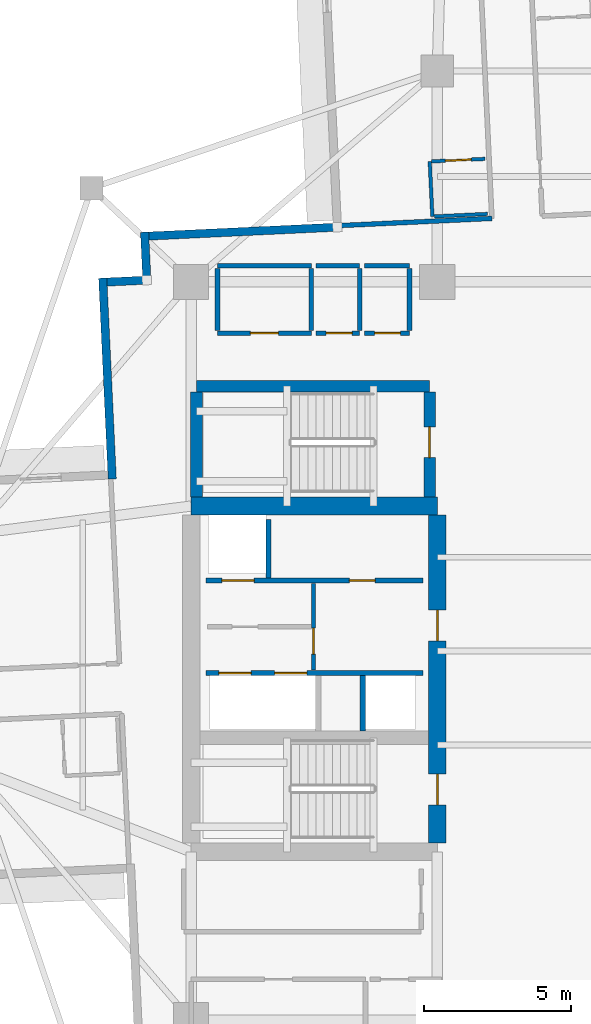
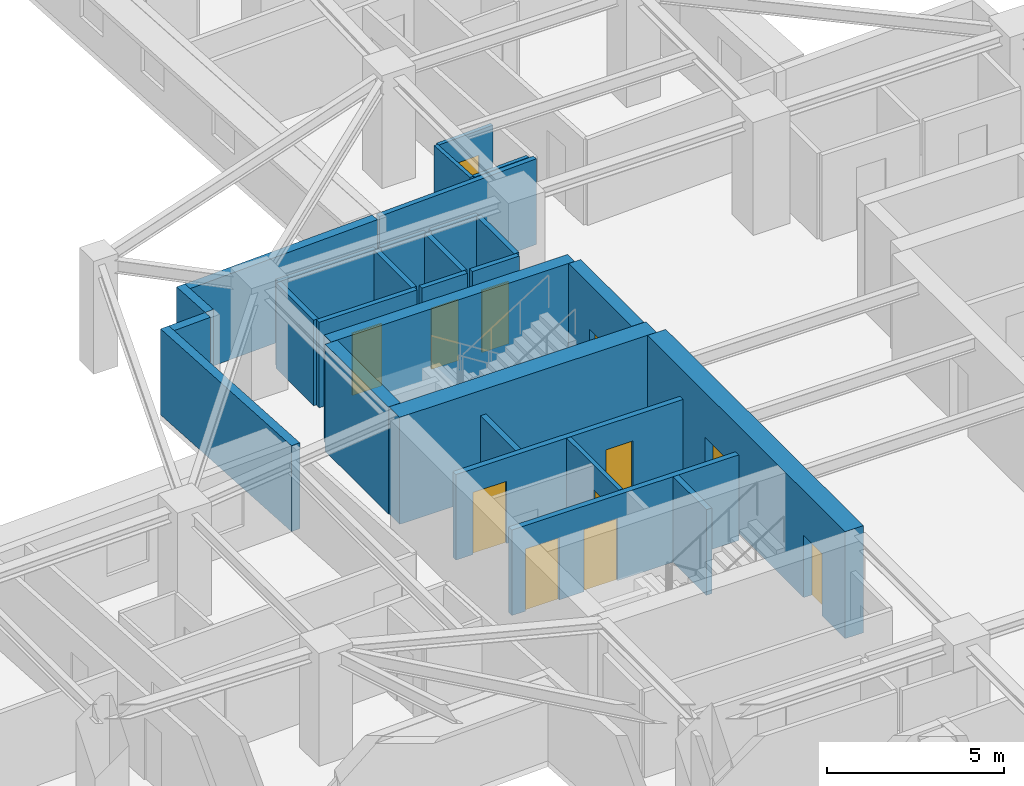
# One storey, part 6 of 14: 28 walls, 12 doors, 12 openings.
"""IFC4 building model written with IfcOpenShell, lengths in metres."""

from ifc_helpers import new_model, si_unit, direction, frame, frame_2d, origin, place, context, subcontext, project, spatial, rectangle, extrude, material, layer, layer_set, type_object, element, fill, save


model = new_model("IFC4")

# Units and contexts
model_context = context("Model", 3, precision=1e-05, world=origin(), true_north=direction((0.0, 1.0)))
body_context = subcontext(model_context, "Body", "Model", "MODEL_VIEW")
ifc_project = project(units=[si_unit("LENGTHUNIT", "METRE"), si_unit("AREAUNIT", "SQUARE_METRE"), si_unit("VOLUMEUNIT", "CUBIC_METRE"), si_unit("PLANEANGLEUNIT", "RADIAN"), si_unit("MASSUNIT", "GRAM", prefix="KILO")], contexts=[model_context])

# Site, building, storey
site_placement = place(None, origin())
site = spatial("IfcSite", under=ifc_project, at=site_placement, CompositionType="ELEMENT")
building_placement = place(site_placement, origin())
building = spatial("IfcBuilding", under=site, at=building_placement, Name="Qingluan Cross Belvedere", CompositionType="ELEMENT")
storey_placement = place(building_placement, frame((0.0, 0.0, 116.39990234375)))
storey = spatial("IfcBuildingStorey", under=building, at=storey_placement, Name="L29", CompositionType="ELEMENT", Elevation=116.39990234375)

# Walls
ifc_material_1 = material(Name="Concrete C50", Category="concrete")
ifc_layer_1 = layer(ifc_material_1, 0.449951171875, Name="CoreShearWall_450")
ifc_layer_set_1 = layer_set([ifc_layer_1], Name="Concrete C50")
wall_type_1 = type_object("IfcWallType", Name="CoreShearWall_450", PredefinedType="SHEAR", material=ifc_layer_set_1)
wall_1_placement = place(storey_placement, frame((-12.219970703125, 9.0400390625, 0.0), z_axis=(0.0, 0.0, 1.0), x_axis=(1.0, 0.0, 0.0)))
element("IfcWall", 1, at=wall_1_placement, inside=storey, type_object=wall_type_1, Name="Stair ST3 structural wall N L29", PredefinedType="SHEAR", context=body_context, shape_type="SweptSolid", body=[
    extrude(rectangle(XDim=7.9599609375, YDim=0.39990234375, at=frame_2d((3.97998046875, 0.0))), origin(), (0.0, 0.0, 1.0), 3.7001953125),
])
wall_2_placement = place(storey_placement, frame((-12.219970703125, 5.2548828125, 0.0), z_axis=(0.0, 0.0, 1.0), x_axis=(0.0, 1.0, 0.0)))
element("IfcWall", 2, at=wall_2_placement, inside=storey, type_object=wall_type_1, Name="Stair ST3 structural wall W L29", PredefinedType="SHEAR", context=body_context, shape_type="SweptSolid", body=[
    extrude(rectangle(XDim=3.580078125, YDim=0.39990234375, at=frame_2d((1.7900390625, 0.0))), origin(), (0.0, 0.0, 1.0), 3.7001953125),
])

# Wall, opening, door
wall_3_placement = place(storey_placement, frame((-4.260009765625, 5.2548828125, 0.0), z_axis=(0.0, 0.0, 1.0), x_axis=(0.0, 1.0, 0.0)))
wall_3 = element("IfcWall", 3, at=wall_3_placement, inside=storey, type_object=wall_type_1, Name="Stair ST3 structural wall E L29", PredefinedType="SHEAR", context=body_context, shape_type="SweptSolid", body=[
    extrude(rectangle(XDim=3.580078125, YDim=0.39990234375, at=frame_2d((1.7900390625, 0.0))), origin(), (0.0, 0.0, 1.0), 3.7001953125),
])
opening_1_placement = place(wall_3_placement, frame((1.344970703125, 0.0, 0.0)))
opening_1 = element("IfcOpeningElement", 4, at=opening_1_placement, cuts=wall_3, Name="Opening FD-B11", PredefinedType="OPENING", context=body_context, shape_type="SweptSolid", body=[
    extrude(rectangle(XDim=1.050048828125, YDim=2.14990234375, at=frame_2d((0.52490234375, 1.074951171875))), frame((0.0, 0.2099609375, 0.0), z_axis=(0.0, -1.0, 0.0), x_axis=(1.0, 0.0, 0.0)), (0.0, 0.0, 1.0), 0.419921875),
])
ifc_material_2 = material(Name="Steel Class B smoke-seal fire door", Category="steel")
door_type_1 = type_object("IfcDoorType", Name="StairLobbyFireDoor_FDB", OperationType="NOTDEFINED", PredefinedType="DOOR", material=ifc_material_2)
door_1_placement = place(opening_1_placement, origin())
door_1 = element("IfcDoor", 5, at=door_1_placement, inside=storey, type_object=door_type_1, Name="Smoke-proof stair ST3 fire door L29", OperationType="SINGLE_SWING_LEFT", OverallHeight=2.14990234375, OverallWidth=1.050048828125, PredefinedType="DOOR", context=body_context, shape_type="SweptSolid", body=[
    extrude(rectangle(XDim=1.050048828125, YDim=2.14990234375, at=frame_2d((0.52490234375, 1.074951171875))), frame((0.0, 0.02490234375, 0.0), z_axis=(0.0, -1.0, 0.0), x_axis=(1.0, 0.0, 0.0)), (0.0, 0.0, 1.0), 0.050048828125),
])
fill(opening_1, door_1)

# Wall
ifc_material_3 = material(Name="Concrete C60", Category="concrete")
ifc_layer_2 = layer(ifc_material_3, 0.60009765625, Name="CoreShearWall_600")
ifc_layer_set_2 = layer_set([ifc_layer_2], Name="Concrete C60")
wall_type_2 = type_object("IfcWallType", Name="CoreShearWall_600", PredefinedType="SHEAR", material=ifc_layer_set_2)
wall_4_placement = place(storey_placement, frame((-12.39990234375, 4.949951171875, 0.0), z_axis=(0.0, 0.0, 1.0), x_axis=(1.0, 0.0, 0.0)))
element("IfcWall", 6, at=wall_4_placement, inside=storey, type_object=wall_type_2, Name="Split core W shear wall L29-N", PredefinedType="SHEAR", context=body_context, shape_type="SweptSolid", body=[
    extrude(rectangle(XDim=8.39990234375, YDim=0.60009765625, at=frame_2d((4.199951171875, 0.0))), origin(), (0.0, 0.0, 1.0), 3.7001953125),
])

# Wall, openings, doors
wall_5_placement = place(storey_placement, frame((-4.0, -6.544921875, 0.0), z_axis=(0.0, 0.0, 1.0), x_axis=(0.0, 1.0, 0.0)))
wall_5 = element("IfcWall", 7, at=wall_5_placement, inside=storey, type_object=wall_type_2, Name="Split core W shear wall L29-E", PredefinedType="SHEAR", context=body_context, shape_type="SweptSolid", body=[
    extrude(rectangle(XDim=11.18994140625, YDim=0.60009765625, at=frame_2d((5.594970703125, 0.0))), origin(), (0.0, 0.0, 1.0), 3.7001953125),
])
opening_2_placement = place(wall_5_placement, frame((1.294921875, 0.0, 0.0)))
opening_2 = element("IfcOpeningElement", 8, at=opening_2_placement, cuts=wall_5, Name="Opening FD-B11", PredefinedType="OPENING", context=body_context, shape_type="SweptSolid", body=[
    extrude(rectangle(XDim=1.050048828125, YDim=2.14990234375, at=frame_2d((0.52490234375, 1.074951171875))), frame((0.0, 0.31005859375, 0.0), z_axis=(0.0, -1.0, 0.0), x_axis=(1.0, 0.0, 0.0)), (0.0, 0.0, 1.0), 0.6201171875),
])
opening_3_placement = place(wall_5_placement, frame((6.89501953125, 0.0, 0.0)))
opening_3 = element("IfcOpeningElement", 9, at=opening_3_placement, cuts=wall_5, Name="Opening FD-B11", PredefinedType="OPENING", context=body_context, shape_type="SweptSolid", body=[
    extrude(rectangle(XDim=1.050048828125, YDim=2.14990234375, at=frame_2d((0.52490234375, 1.074951171875))), frame((0.0, 0.31005859375, 0.0), z_axis=(0.0, -1.0, 0.0), x_axis=(1.0, 0.0, 0.0)), (0.0, 0.0, 1.0), 0.6201171875),
])
door_2_placement = place(opening_2_placement, origin())
door_2 = element("IfcDoor", 10, at=door_2_placement, inside=storey, type_object=door_type_1, Name="Smoke-proof stair ST1 fire door L29", OperationType="SINGLE_SWING_LEFT", OverallHeight=2.14990234375, OverallWidth=1.050048828125, PredefinedType="DOOR", context=body_context, shape_type="SweptSolid", body=[
    extrude(rectangle(XDim=1.050048828125, YDim=2.14990234375, at=frame_2d((0.52490234375, 1.074951171875))), frame((0.0, 0.02490234375, 0.0), z_axis=(0.0, -1.0, 0.0), x_axis=(1.0, 0.0, 0.0)), (0.0, 0.0, 1.0), 0.050048828125),
])
fill(opening_2, door_2)
door_3_placement = place(opening_3_placement, origin())
door_3 = element("IfcDoor", 11, at=door_3_placement, inside=storey, type_object=door_type_1, Name="Firefighting lobby West fire door L29", OperationType="SINGLE_SWING_LEFT", OverallHeight=2.14990234375, OverallWidth=1.050048828125, PredefinedType="DOOR", context=body_context, shape_type="SweptSolid", body=[
    extrude(rectangle(XDim=1.050048828125, YDim=2.14990234375, at=frame_2d((0.52490234375, 1.074951171875))), frame((0.0, 0.02490234375, 0.0), z_axis=(0.0, -1.0, 0.0), x_axis=(1.0, 0.0, 0.0)), (0.0, 0.0, 1.0), 0.050048828125),
])
fill(opening_3, door_3)

# Wall, opening, door
ifc_material_4 = material(Name="Gypsum plasterboard on steel stud acoustic partition", Category="steel")
ifc_layer_3 = layer(ifc_material_4, 0.159912109375, Name="CorridorPartition_160")
ifc_layer_set_3 = layer_set([ifc_layer_3], Name="Gypsum plasterboard on steel stud acoustic partition")
wall_type_3 = type_object("IfcWallType", Name="CorridorPartition_160", PredefinedType="PARTITIONING", material=ifc_layer_set_3)
wall_6_placement = place(storey_placement, frame((-11.5, 10.85009765625, 0.0), z_axis=(0.0, 0.0, 1.0), x_axis=(1.0, 0.0, 0.0)))
wall_6 = element("IfcWall", 12, at=wall_6_placement, inside=storey, type_object=wall_type_3, Name="Partition L29:q_nw_occ:S", PredefinedType="PARTITIONING", context=body_context, shape_type="SweptSolid", body=[
    extrude(rectangle(XDim=3.199951171875, YDim=0.159912109375, at=frame_2d((1.60009765625, 0.0))), origin(), (0.0, 0.0, 1.0), 2.960205078125),
])
opening_4_placement = place(wall_6_placement, frame((1.1201171875, 0.0, 0.0)))
opening_4 = element("IfcOpeningElement", 13, at=opening_4_placement, cuts=wall_6, Name="Opening GD-10", PredefinedType="OPENING", context=body_context, shape_type="SweptSolid", body=[
    extrude(rectangle(XDim=0.9599609375, YDim=2.14990234375, at=frame_2d((0.47998046875, 1.074951171875))), frame((0.0, 0.08984375, 0.0), z_axis=(0.0, -1.0, 0.0), x_axis=(1.0, 0.0, 0.0)), (0.0, 0.0, 1.0), 0.179931640625),
])
ifc_material_5 = material(Name="Timber oak fire-rated acoustic guestroom door", Category="wood")
door_type_2 = type_object("IfcDoorType", Name="GuestEntryDoor_FD60", OperationType="NOTDEFINED", PredefinedType="DOOR", material=ifc_material_5)
door_4_placement = place(opening_4_placement, origin())
door_4 = element("IfcDoor", 14, at=door_4_placement, inside=storey, type_object=door_type_2, Name="Northwest corner reading salon L29 door", OperationType="SINGLE_SWING_RIGHT", OverallHeight=2.14990234375, OverallWidth=0.9599609375, PredefinedType="DOOR", context=body_context, shape_type="SweptSolid", body=[
    extrude(rectangle(XDim=0.9599609375, YDim=2.14990234375, at=frame_2d((0.47998046875, 1.074951171875))), frame((0.0, 0.02490234375, 0.0), z_axis=(0.0, -1.0, 0.0), x_axis=(1.0, 0.0, 0.0)), (0.0, 0.0, 1.0), 0.050048828125),
])
fill(opening_4, door_4)

# Walls
wall_7_placement = place(storey_placement, frame((-11.5, 13.14990234375, 0.0), z_axis=(0.0, 0.0, 1.0), x_axis=(1.0, 0.0, 0.0)))
element("IfcWall", 15, at=wall_7_placement, inside=storey, type_object=wall_type_3, Name="Partition L29:q_nw_occ:N", PredefinedType="PARTITIONING", context=body_context, shape_type="SweptSolid", body=[
    extrude(rectangle(XDim=3.199951171875, YDim=0.159912109375, at=frame_2d((1.60009765625, 0.0))), origin(), (0.0, 0.0, 1.0), 2.960205078125),
])
for number, where, z_axis, x_axis, name in (
    (16, (-11.5, 10.93505859375, 0.0), (0.0, 0.0, 1.0), (0.0, 1.0, 0.0), "Partition L29:q_nw_occ:W"),
    (17, (-8.300048828125, 10.93505859375, 0.0), (0.0, 0.0, 1.0), (0.0, 1.0, 0.0), "Partition L29:q_nw_occ:E"),
):
    element("IfcWall", number, at=place(storey_placement, frame(where, z_axis=z_axis, x_axis=x_axis)), inside=storey, type_object=wall_type_3, Name=name, PredefinedType="PARTITIONING", context=body_context, shape_type="SweptSolid", body=[
        extrude(rectangle(XDim=2.1298828125, YDim=0.159912109375, at=frame_2d((1.06494140625, 0.0))), origin(), (0.0, 0.0, 1.0), 2.960205078125),
    ])

# Wall, opening, door
wall_8_placement = place(storey_placement, frame((-8.139892578125, 10.85009765625, 0.0), z_axis=(0.0, 0.0, 1.0), x_axis=(1.0, 0.0, 0.0)))
wall_8 = element("IfcWall", 18, at=wall_8_placement, inside=storey, type_object=wall_type_3, Name="Partition L29:hk_linen:S", PredefinedType="PARTITIONING", context=body_context, shape_type="SweptSolid", body=[
    extrude(rectangle(XDim=1.489990234375, YDim=0.159912109375, at=frame_2d((0.7451171875, 0.0))), origin(), (0.0, 0.0, 1.0), 2.960205078125),
])
opening_5_placement = place(wall_8_placement, frame((0.35009765625, 0.0, 0.0)))
opening_5 = element("IfcOpeningElement", 19, at=opening_5_placement, cuts=wall_8, Name="Opening FD-B10", PredefinedType="OPENING", context=body_context, shape_type="SweptSolid", body=[
    extrude(rectangle(XDim=0.8798828125, YDim=2.10009765625, at=frame_2d((0.43994140625, 1.050048828125))), frame((0.0, 0.08984375, 0.0), z_axis=(0.0, -1.0, 0.0), x_axis=(1.0, 0.0, 0.0)), (0.0, 0.0, 1.0), 0.179931640625),
])
ifc_material_6 = material(Name="Steel Class B service fire door", Category="steel")
door_type_3 = type_object("IfcDoorType", Name="RiserServiceFireDoor_FDB", OperationType="NOTDEFINED", PredefinedType="DOOR", material=ifc_material_6)
door_5_placement = place(opening_5_placement, origin())
door_5 = element("IfcDoor", 20, at=door_5_placement, inside=storey, type_object=door_type_3, Name="Housekeeping and linen store L29 door", OperationType="SINGLE_SWING_LEFT", OverallHeight=2.10009765625, OverallWidth=0.8798828125, PredefinedType="DOOR", context=body_context, shape_type="SweptSolid", body=[
    extrude(rectangle(XDim=0.8798828125, YDim=2.10009765625, at=frame_2d((0.43994140625, 1.050048828125))), frame((0.0, 0.02490234375, 0.0), z_axis=(0.0, -1.0, 0.0), x_axis=(1.0, 0.0, 0.0)), (0.0, 0.0, 1.0), 0.050048828125),
])
fill(opening_5, door_5)

# Walls
wall_9_placement = place(storey_placement, frame((-8.139892578125, 13.14990234375, 0.0), z_axis=(0.0, 0.0, 1.0), x_axis=(1.0, 0.0, 0.0)))
element("IfcWall", 21, at=wall_9_placement, inside=storey, type_object=wall_type_3, Name="Partition L29:hk_linen:N", PredefinedType="PARTITIONING", context=body_context, shape_type="SweptSolid", body=[
    extrude(rectangle(XDim=1.489990234375, YDim=0.159912109375, at=frame_2d((0.7451171875, 0.0))), origin(), (0.0, 0.0, 1.0), 2.960205078125),
])
wall_10_placement = place(storey_placement, frame((-6.64990234375, 10.93505859375, 0.0), z_axis=(0.0, 0.0, 1.0), x_axis=(0.0, 1.0, 0.0)))
element("IfcWall", 22, at=wall_10_placement, inside=storey, type_object=wall_type_3, Name="Partition L29:hk_linen:E", PredefinedType="PARTITIONING", context=body_context, shape_type="SweptSolid", body=[
    extrude(rectangle(XDim=2.1298828125, YDim=0.159912109375, at=frame_2d((1.06494140625, 0.0))), origin(), (0.0, 0.0, 1.0), 2.960205078125),
])

# Wall, opening, door
wall_11_placement = place(storey_placement, frame((-6.489990234375, 10.85009765625, 0.0), z_axis=(0.0, 0.0, 1.0), x_axis=(1.0, 0.0, 0.0)))
wall_11 = element("IfcWall", 23, at=wall_11_placement, inside=storey, type_object=wall_type_3, Name="Partition L29:floor_acc_wc:S", PredefinedType="PARTITIONING", context=body_context, shape_type="SweptSolid", body=[
    extrude(rectangle(XDim=1.5400390625, YDim=0.159912109375, at=frame_2d((0.77001953125, 0.0))), origin(), (0.0, 0.0, 1.0), 2.960205078125),
])
opening_6_placement = place(wall_11_placement, frame((0.35009765625, 0.0, 0.0)))
opening_6 = element("IfcOpeningElement", 24, at=opening_6_placement, cuts=wall_11, Name="Opening BD-08", PredefinedType="OPENING", context=body_context, shape_type="SweptSolid", body=[
    extrude(rectangle(XDim=0.8798828125, YDim=2.14990234375, at=frame_2d((0.43994140625, 1.074951171875))), frame((0.0, 0.08984375, 0.0), z_axis=(0.0, -1.0, 0.0), x_axis=(1.0, 0.0, 0.0)), (0.0, 0.0, 1.0), 0.179931640625),
])
ifc_material_7 = material(Name="Moisture-sealed timber accessible WC door", Category="wood")
door_type_4 = type_object("IfcDoorType", Name="AccessibleWCDoor_880", OperationType="NOTDEFINED", PredefinedType="DOOR", material=ifc_material_7)
door_6_placement = place(opening_6_placement, origin())
door_6 = element("IfcDoor", 25, at=door_6_placement, inside=storey, type_object=door_type_4, Name="Accessible guest washroom L29 door", OperationType="SINGLE_SWING_RIGHT", OverallHeight=2.14990234375, OverallWidth=0.8798828125, PredefinedType="DOOR", context=body_context, shape_type="SweptSolid", body=[
    extrude(rectangle(XDim=0.8798828125, YDim=2.14990234375, at=frame_2d((0.43994140625, 1.074951171875))), frame((0.0, 0.02490234375, 0.0), z_axis=(0.0, -1.0, 0.0), x_axis=(1.0, 0.0, 0.0)), (0.0, 0.0, 1.0), 0.050048828125),
])
fill(opening_6, door_6)

# Walls
wall_12_placement = place(storey_placement, frame((-6.489990234375, 13.14990234375, 0.0), z_axis=(0.0, 0.0, 1.0), x_axis=(1.0, 0.0, 0.0)))
element("IfcWall", 26, at=wall_12_placement, inside=storey, type_object=wall_type_3, Name="Partition L29:floor_acc_wc:N", PredefinedType="PARTITIONING", context=body_context, shape_type="SweptSolid", body=[
    extrude(rectangle(XDim=1.5400390625, YDim=0.159912109375, at=frame_2d((0.77001953125, 0.0))), origin(), (0.0, 0.0, 1.0), 2.960205078125),
])
wall_13_placement = place(storey_placement, frame((-4.949951171875, 10.93505859375, 0.0), z_axis=(0.0, 0.0, 1.0), x_axis=(0.0, 1.0, 0.0)))
element("IfcWall", 27, at=wall_13_placement, inside=storey, type_object=wall_type_3, Name="Partition L29:floor_acc_wc:E", PredefinedType="PARTITIONING", context=body_context, shape_type="SweptSolid", body=[
    extrude(rectangle(XDim=2.1298828125, YDim=0.159912109375, at=frame_2d((1.06494140625, 0.0))), origin(), (0.0, 0.0, 1.0), 2.960205078125),
])
wall_14_placement = place(storey_placement, frame((-2.137939453125, 14.765625, 0.0), z_axis=(0.0, 0.0, 1.0), x_axis=(-0.998891553151, -0.047070851322, 0.0)))
element("IfcWall", 28, at=wall_14_placement, inside=storey, type_object=wall_type_3, Name="Partition L29:N:s1", PredefinedType="PARTITIONING", context=body_context, shape_type="SweptSolid", body=[
    extrude(rectangle(XDim=5.280029296875, YDim=0.159912109375, at=frame_2d((2.64013671875, 0.0))), origin(), (0.0, 0.0, 1.0), 2.960205078125),
])

# Wall, opening, door
ifc_material_8 = material(Name="Moisture-resistant gypsum board lining")
ifc_layer_4 = layer(ifc_material_8, 0.1201171875, Name="EnsuiteWetPartition_120")
ifc_layer_set_4 = layer_set([ifc_layer_4], Name="Moisture-resistant gypsum board lining")
wall_type_4 = type_object("IfcWallType", Name="EnsuiteWetPartition_120", PredefinedType="PARTITIONING", material=ifc_layer_set_4)
wall_15_placement = place(storey_placement, frame((-4.19189453125, 16.711181640625, 0.0), z_axis=(0.0, 0.0, 1.0), x_axis=(0.998891083954, 0.047080807099, 0.0)))
wall_15 = element("IfcWall", 29, at=wall_15_placement, inside=storey, type_object=wall_type_4, Name="Partition L29:N:bs1_0", PredefinedType="PARTITIONING", context=body_context, shape_type="SweptSolid", body=[
    extrude(rectangle(XDim=1.820068359375, YDim=0.1201171875, at=frame_2d((0.91015625, 0.0))), origin(), (0.0, 0.0, 1.0), 2.960205078125),
])
opening_7_placement = place(wall_15_placement, frame((0.469970703125, 0.0, 0.0)))
opening_7 = element("IfcOpeningElement", 30, at=opening_7_placement, cuts=wall_15, Name="Opening BD-09", PredefinedType="OPENING", context=body_context, shape_type="SweptSolid", body=[
    extrude(rectangle(XDim=0.8798828125, YDim=2.10009765625, at=frame_2d((0.43994140625, 1.050048828125))), frame((0.0, 0.070068359375, 0.0), z_axis=(0.0, -1.0, 0.0), x_axis=(1.0, 0.0, 0.0)), (0.0, 0.0, 1.0), 0.14013671875),
])
ifc_material_9 = material(Name="Moisture-sealed timber en-suite door", Category="wood")
door_type_5 = type_object("IfcDoorType", Name="BathroomDoor_880", OperationType="NOTDEFINED", PredefinedType="DOOR", material=ifc_material_9)
door_7_placement = place(opening_7_placement, origin())
door_7 = element("IfcDoor", 31, at=door_7_placement, inside=storey, type_object=door_type_5, Name="Bathroom door 2908", OperationType="SINGLE_SWING_LEFT", OverallHeight=2.10009765625, OverallWidth=0.8798828125, PredefinedType="DOOR", context=body_context, shape_type="SweptSolid", body=[
    extrude(rectangle(XDim=0.8798828125, YDim=2.10009765625, at=frame_2d((0.43994140625, 1.050048828125))), frame((0.0, 0.02490234375, 0.0), z_axis=(0.0, -1.0, 0.0), x_axis=(1.0, 0.0, 0.0)), (0.0, 0.0, 1.0), 0.050048828125),
])
fill(opening_7, door_7)

# Walls
wall_16_placement = place(storey_placement, frame((-4.103271484375, 14.833251953125, 0.0), z_axis=(0.0, 0.0, 1.0), x_axis=(0.998890786574, 0.047087116047, 0.0)))
element("IfcWall", 32, at=wall_16_placement, inside=storey, type_object=wall_type_4, Name="Partition L29:N:bw1_0", PredefinedType="PARTITIONING", context=body_context, shape_type="SweptSolid", body=[
    extrude(rectangle(XDim=1.81982421875, YDim=0.1201171875, at=frame_2d((0.909912109375, 0.0))), origin(), (0.0, 0.0, 1.0), 2.960205078125),
])
wall_17_placement = place(storey_placement, frame((-4.168212890625, 14.830078125, 0.0), z_axis=(0.0, 0.0, 1.0), x_axis=(-0.047139425368, 0.998888319371, 0.0)))
element("IfcWall", 33, at=wall_17_placement, inside=storey, type_object=wall_type_4, Name="Partition L29:N:bc1_0", PredefinedType="PARTITIONING", context=body_context, shape_type="SweptSolid", body=[
    extrude(rectangle(XDim=1.880126953125, YDim=0.1201171875, at=frame_2d((0.93994140625, 0.0))), origin(), (0.0, 0.0, 1.0), 2.960205078125),
])
ifc_material_10 = material(Name="Precast concrete C45", Category="concrete")
ifc_layer_5 = layer(ifc_material_10, 0.280029296875, Name="PrecastFacadeWall_280")
ifc_layer_set_5 = layer_set([ifc_layer_5], Name="Precast concrete C45")
wall_type_5 = type_object("IfcWallType", Name="PrecastFacadeWall_280", PredefinedType="STANDARD", material=ifc_layer_set_5)
wall_18_placement = place(storey_placement, frame((-15.093505859375, 5.87548828125, 0.0), z_axis=(0.0, 0.0, 1.0), x_axis=(-0.04712043756, 0.998889215261, 0.0)))
element("IfcWall", 34, at=wall_18_placement, inside=storey, type_object=wall_type_5, Name="Corner wall L29-NW1", PredefinedType="STANDARD", context=body_context, shape_type="SweptSolid", body=[
    extrude(rectangle(XDim=6.85986328125, YDim=0.280029296875, at=frame_2d((3.429931640625, 0.0))), origin(), (0.0, 0.0, 1.0), 2.97021484375),
])
wall_19_placement = place(storey_placement, frame((-15.270263671875, 12.5947265625, 0.0), z_axis=(0.0, 0.0, 1.0), x_axis=(0.998893795343, 0.047023245574, 0.0)))
element("IfcWall", 35, at=wall_19_placement, inside=storey, type_object=wall_type_5, Name="Corner wall L29-NW2", PredefinedType="STANDARD", context=body_context, shape_type="SweptSolid", body=[
    extrude(rectangle(XDim=1.22021484375, YDim=0.280029296875, at=frame_2d((0.610107421875, 0.0))), origin(), (0.0, 0.0, 1.0), 2.97021484375),
])
wall_20_placement = place(storey_placement, frame((-13.918212890625, 12.798583984375, 0.0), z_axis=(0.0, 0.0, 1.0), x_axis=(-0.047201688113, 0.99888537913, 0.0)))
element("IfcWall", 36, at=wall_20_placement, inside=storey, type_object=wall_type_5, Name="Corner wall L29-NW3", PredefinedType="STANDARD", context=body_context, shape_type="SweptSolid", body=[
    extrude(rectangle(XDim=1.5, YDim=0.280029296875, at=frame_2d((0.75, 0.0))), origin(), (0.0, 0.0, 1.0), 2.97021484375),
])
wall_21_placement = place(storey_placement, frame((-13.842529296875, 14.16357421875, 0.0), z_axis=(0.0, 0.0, 1.0), x_axis=(0.998889082162, 0.047123258997, 0.0)))
element("IfcWall", 37, at=wall_21_placement, inside=storey, type_object=wall_type_5, Name="Corner wall L29-NW4", PredefinedType="STANDARD", context=body_context, shape_type="SweptSolid", body=[
    extrude(rectangle(XDim=6.300048828125, YDim=0.280029296875, at=frame_2d((3.14990234375, 0.0))), origin(), (0.0, 0.0, 1.0), 2.97021484375),
])

# Wall, openings, doors
ifc_material_11 = material(Name="Concrete C40", Category="concrete")
ifc_layer_6 = layer(ifc_material_11, 0.219970703125, Name="ShaftEnclosureWall_250")
ifc_layer_set_6 = layer_set([ifc_layer_6], Name="Concrete C40")
wall_type_6 = type_object("IfcWallType", Name="ShaftEnclosureWall_250", PredefinedType="SOLIDWALL", material=ifc_layer_set_6)
wall_22_placement = place(storey_placement, frame((-11.89990234375, 2.409912109375, 0.0), z_axis=(0.0, 0.0, 1.0), x_axis=(1.0, 0.0, 0.0)))
wall_22 = element("IfcWall", 38, at=wall_22_placement, inside=storey, type_object=wall_type_6, Name="Core-W north hoistway wall L29", PredefinedType="SOLIDWALL", context=body_context, shape_type="SweptSolid", body=[
    extrude(rectangle(XDim=7.419921875, YDim=0.179931640625, at=frame_2d((3.7099609375, 0.0))), origin(), (0.0, 0.0, 1.0), 2.960205078125),
])
opening_8_placement = place(wall_22_placement, frame((0.550048828125, 0.0, 0.0)))
opening_8 = element("IfcOpeningElement", 39, at=opening_8_placement, cuts=wall_22, Name="Opening LD-11", PredefinedType="OPENING", context=body_context, shape_type="SweptSolid", body=[
    extrude(rectangle(XDim=1.10009765625, YDim=2.14990234375, at=frame_2d((0.550048828125, 1.074951171875))), frame((0.0, 0.099853515625, 0.0), z_axis=(0.0, -1.0, 0.0), x_axis=(1.0, 0.0, 0.0)), (0.0, 0.0, 1.0), 0.199951171875),
])
opening_9_placement = place(wall_22_placement, frame((4.89990234375, 0.0, 0.0)))
opening_9 = element("IfcOpeningElement", 40, at=opening_9_placement, cuts=wall_22, Name="Opening FD-B10", PredefinedType="OPENING", context=body_context, shape_type="SweptSolid", body=[
    extrude(rectangle(XDim=0.8798828125, YDim=2.10009765625, at=frame_2d((0.43994140625, 1.050048828125))), frame((0.0, 0.099853515625, 0.0), z_axis=(0.0, -1.0, 0.0), x_axis=(1.0, 0.0, 0.0)), (0.0, 0.0, 1.0), 0.199951171875),
])
ifc_material_12 = material(Name="Brushed stainless steel centre-opening lift landing door", Category="steel")
door_type_6 = type_object("IfcDoorType", Name="LiftLandingSlidingDoor_1100", OperationType="DOUBLE_DOOR_SLIDING", PredefinedType="DOOR", material=ifc_material_12)
door_8_placement = place(opening_8_placement, origin())
door_8 = element("IfcDoor", 41, at=door_8_placement, inside=storey, type_object=door_type_6, Name="Lift landing sliding door FL1 L29", OperationType="DOUBLE_DOOR_SLIDING", OverallHeight=2.14990234375, OverallWidth=1.10009765625, PredefinedType="DOOR", context=body_context, shape_type="SweptSolid", body=[
    extrude(rectangle(XDim=1.10009765625, YDim=2.14990234375, at=frame_2d((0.550048828125, 1.074951171875))), frame((0.0, 0.02490234375, 0.0), z_axis=(0.0, -1.0, 0.0), x_axis=(1.0, 0.0, 0.0)), (0.0, 0.0, 1.0), 0.050048828125),
])
fill(opening_8, door_8)
door_9_placement = place(opening_9_placement, origin())
door_9 = element("IfcDoor", 42, at=door_9_placement, inside=storey, type_object=door_type_3, Name="Housekeeping supply room door W L29", OperationType="SINGLE_SWING_RIGHT", OverallHeight=2.10009765625, OverallWidth=0.8798828125, PredefinedType="DOOR", context=body_context, shape_type="SweptSolid", body=[
    extrude(rectangle(XDim=0.8798828125, YDim=2.10009765625, at=frame_2d((0.43994140625, 1.050048828125))), frame((0.0, 0.02490234375, 0.0), z_axis=(0.0, -1.0, 0.0), x_axis=(1.0, 0.0, 0.0)), (0.0, 0.0, 1.0), 0.050048828125),
])
fill(opening_9, door_9)

wall_23_placement = place(storey_placement, frame((-11.89990234375, -0.75, 0.0), z_axis=(0.0, 0.0, 1.0), x_axis=(1.0, 0.0, 0.0)))
wall_23 = element("IfcWall", 43, at=wall_23_placement, inside=storey, type_object=wall_type_6, Name="Core-W mid hoistway wall L29", PredefinedType="SOLIDWALL", context=body_context, shape_type="SweptSolid", body=[
    extrude(rectangle(XDim=7.419921875, YDim=0.179931640625, at=frame_2d((3.7099609375, 0.0))), origin(), (0.0, 0.0, 1.0), 2.960205078125),
])
opening_10_placement = place(wall_23_placement, frame((0.449951171875, 0.0, 0.0)))
opening_10 = element("IfcOpeningElement", 44, at=opening_10_placement, cuts=wall_23, Name="Opening LD-11", PredefinedType="OPENING", context=body_context, shape_type="SweptSolid", body=[
    extrude(rectangle(XDim=1.10009765625, YDim=2.14990234375, at=frame_2d((0.550048828125, 1.074951171875))), frame((0.0, 0.099853515625, 0.0), z_axis=(0.0, -1.0, 0.0), x_axis=(1.0, 0.0, 0.0)), (0.0, 0.0, 1.0), 0.199951171875),
])
opening_11_placement = place(wall_23_placement, frame((2.35009765625, 0.0, 0.0)))
opening_11 = element("IfcOpeningElement", 45, at=opening_11_placement, cuts=wall_23, Name="Opening LD-11", PredefinedType="OPENING", context=body_context, shape_type="SweptSolid", body=[
    extrude(rectangle(XDim=1.10009765625, YDim=2.14990234375, at=frame_2d((0.550048828125, 1.074951171875))), frame((0.0, 0.099853515625, 0.0), z_axis=(0.0, -1.0, 0.0), x_axis=(1.0, 0.0, 0.0)), (0.0, 0.0, 1.0), 0.199951171875),
])
door_10_placement = place(opening_10_placement, origin())
door_10 = element("IfcDoor", 46, at=door_10_placement, inside=storey, type_object=door_type_6, Name="Lift landing sliding door LP5 L29", OperationType="DOUBLE_DOOR_SLIDING", OverallHeight=2.14990234375, OverallWidth=1.10009765625, PredefinedType="DOOR", context=body_context, shape_type="SweptSolid", body=[
    extrude(rectangle(XDim=1.10009765625, YDim=2.14990234375, at=frame_2d((0.550048828125, 1.074951171875))), frame((0.0, 0.02490234375, 0.0), z_axis=(0.0, -1.0, 0.0), x_axis=(1.0, 0.0, 0.0)), (0.0, 0.0, 1.0), 0.050048828125),
])
fill(opening_10, door_10)
door_11_placement = place(opening_11_placement, origin())
door_11 = element("IfcDoor", 47, at=door_11_placement, inside=storey, type_object=door_type_6, Name="Lift landing sliding door LP6 L29", OperationType="DOUBLE_DOOR_SLIDING", OverallHeight=2.14990234375, OverallWidth=1.10009765625, PredefinedType="DOOR", context=body_context, shape_type="SweptSolid", body=[
    extrude(rectangle(XDim=1.10009765625, YDim=2.14990234375, at=frame_2d((0.550048828125, 1.074951171875))), frame((0.0, 0.02490234375, 0.0), z_axis=(0.0, -1.0, 0.0), x_axis=(1.0, 0.0, 0.0)), (0.0, 0.0, 1.0), 0.050048828125),
])
fill(opening_11, door_11)

# Walls
wall_24_placement = place(storey_placement, frame((-9.760009765625, 2.5, 0.0), z_axis=(0.0, 0.0, 1.0), x_axis=(0.0, 1.0, 0.0)))
element("IfcWall", 48, at=wall_24_placement, inside=storey, type_object=wall_type_6, Name="Hoistway enclosure divider FL1E L29", PredefinedType="SOLIDWALL", context=body_context, shape_type="SweptSolid", body=[
    extrude(rectangle(XDim=1.989990234375, YDim=0.179931640625, at=frame_2d((0.9951171875, 0.0))), origin(), (0.0, 0.0, 1.0), 2.960205078125),
])
wall_25_placement = place(storey_placement, frame((-6.5400390625, -2.72998046875, 0.0), z_axis=(0.0, 0.0, 1.0), x_axis=(0.0, 1.0, 0.0)))
element("IfcWall", 49, at=wall_25_placement, inside=storey, type_object=wall_type_6, Name="Hoistway enclosure divider LP8W L29", PredefinedType="SOLIDWALL", context=body_context, shape_type="SweptSolid", body=[
    extrude(rectangle(XDim=1.889892578125, YDim=0.179931640625, at=frame_2d((0.94482421875, 0.0))), origin(), (0.0, 0.0, 1.0), 2.960205078125),
])

# Wall, opening, door
wall_26_placement = place(storey_placement, frame((-8.219970703125, -0.64990234375, 0.0), z_axis=(0.0, 0.0, 1.0), x_axis=(0.0, 1.0, 0.0)))
wall_26 = element("IfcWall", 50, at=wall_26_placement, inside=storey, type_object=wall_type_6, Name="Core-W service corridor wall L29", PredefinedType="SOLIDWALL", context=body_context, shape_type="SweptSolid", body=[
    extrude(rectangle(XDim=2.9599609375, YDim=0.139892578125, at=frame_2d((1.47998046875, 0.0))), origin(), (0.0, 0.0, 1.0), 2.960205078125),
])
opening_12_placement = place(wall_26_placement, frame((0.550048828125, 0.0, 0.0)))
opening_12 = element("IfcOpeningElement", 51, at=opening_12_placement, cuts=wall_26, Name="Opening FD-B10", PredefinedType="OPENING", context=body_context, shape_type="SweptSolid", body=[
    extrude(rectangle(XDim=0.8798828125, YDim=2.10009765625, at=frame_2d((0.43994140625, 1.050048828125))), frame((0.0, 0.079833984375, 0.0), z_axis=(0.0, -1.0, 0.0), x_axis=(1.0, 0.0, 0.0)), (0.0, 0.0, 1.0), 0.159912109375),
])
door_12_placement = place(opening_12_placement, origin())
door_12 = element("IfcDoor", 52, at=door_12_placement, inside=storey, type_object=door_type_3, Name="Core-W service room door L29", OperationType="SINGLE_SWING_RIGHT", OverallHeight=2.10009765625, OverallWidth=0.8798828125, PredefinedType="DOOR", context=body_context, shape_type="SweptSolid", body=[
    extrude(rectangle(XDim=0.8798828125, YDim=2.10009765625, at=frame_2d((0.43994140625, 1.050048828125))), frame((0.0, 0.02490234375, 0.0), z_axis=(0.0, -1.0, 0.0), x_axis=(1.0, 0.0, 0.0)), (0.0, 0.0, 1.0), 0.050048828125),
])
fill(opening_12, door_12)

save(model, "model.ifc")
